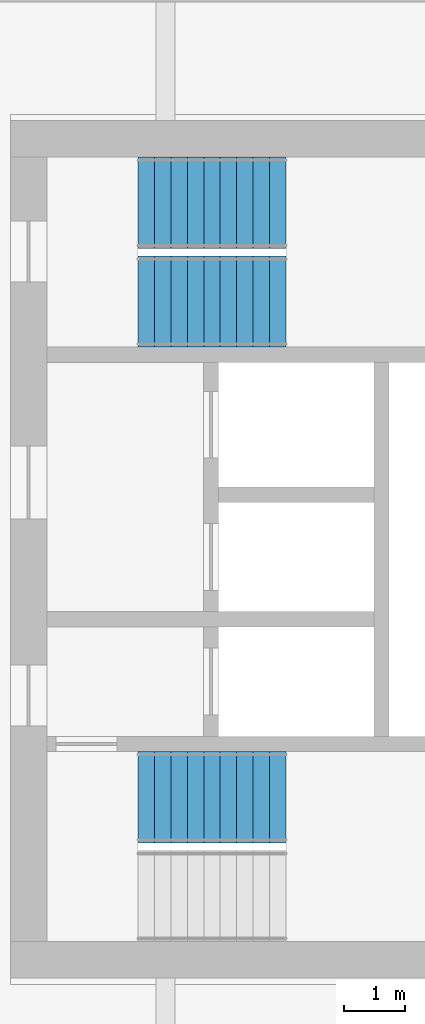
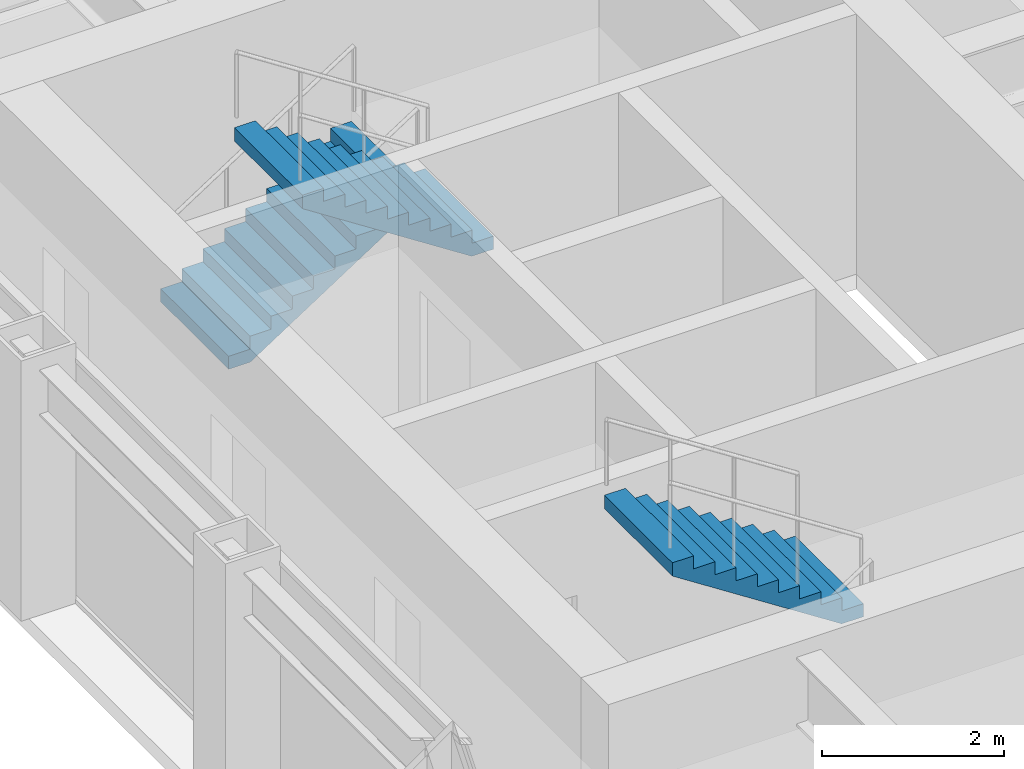
# One storey, part 16 of 21: 3 stair flights, 2 elements without a shape of their own.
"""IFC4 building model written with IfcOpenShell, lengths in metres."""

from ifc_helpers import new_model, si_unit, direction, frame, origin, place, context, subcontext, project, spatial, polyline, outline, extrude, material, type_object, element, aggregate, save


model = new_model("IFC4")

# Units and contexts
model_context = context("Model", 3, precision=1e-05, world=origin(), true_north=direction((0.0, 1.0)))
body_context = subcontext(model_context, "Body", "Model", "MODEL_VIEW")
ifc_project = project(units=[si_unit("LENGTHUNIT", "METRE"), si_unit("AREAUNIT", "SQUARE_METRE"), si_unit("VOLUMEUNIT", "CUBIC_METRE"), si_unit("PLANEANGLEUNIT", "RADIAN"), si_unit("MASSUNIT", "GRAM", prefix="KILO")], contexts=[model_context])

# Site, building, storey
site_placement = place(None, origin())
site = spatial("IfcSite", under=ifc_project, at=site_placement, CompositionType="ELEMENT")
building_placement = place(site_placement, origin())
building = spatial("IfcBuilding", under=site, at=building_placement, Name="Msasa Ring Tower", CompositionType="ELEMENT")
storey_placement = place(building_placement, frame((0.0, 0.0, 89.5)))
storey = spatial("IfcBuildingStorey", under=building, at=storey_placement, Name="L23", CompositionType="ELEMENT", Elevation=89.5)

# Stair, stair flight
ifc_material_1 = material(Name="Concrete C40/50", Category="concrete")
stair_type = type_object("IfcStairType", Name="STC CORE STAIR 20 RISERS 175", PredefinedType="HALF_TURN_STAIR", material=ifc_material_1)
stair_1_placement = place(storey_placement, origin())
stair_1 = element("IfcStair", 1, at=stair_1_placement, inside=storey, type_object=stair_type, Name="Core stair SEA L23", PredefinedType="HALF_TURN_STAIR")
ifc_material_2 = material(Name="Concrete C40/50", Category="concrete")
stair_flight_type = type_object("IfcStairFlightType", Name="ST12 CORE STAIR FLIGHT 1500 10 RISERS 175", PredefinedType="STRAIGHT", material=ifc_material_2)
stair_flight_1_placement = place(storey_placement, frame((13.22998046875, -4.074951171875, 1.75), z_axis=(0.0, 0.0, 1.0), x_axis=(-1.0, 0.0, 0.0)))
stair_flight_1 = element("IfcStairFlight", 2, at=stair_flight_1_placement, type_object=stair_flight_type, Name="SEA flight 2", NumberOfRisers=10, NumberOfTreads=9, PredefinedType="STRAIGHT", RiserHeight=0.175, TreadLength=0.27, context=body_context, shape_type="SweptSolid", body=[
    extrude(outline(polyline([(0.0, 0.0), (0.0, 0.175048828125), (0.27001953125, 0.175048828125), (0.27001953125, 0.35009765625), (0.5400390625, 0.35009765625), (0.5400390625, 0.52490234375), (0.81005859375, 0.52490234375), (0.81005859375, 0.699951171875), (1.080078125, 0.699951171875), (1.080078125, 0.875), (1.35009765625, 0.875), (1.35009765625, 1.050048828125), (1.6201171875, 1.050048828125), (1.6201171875, 1.22509765625), (1.889892578125, 1.22509765625), (1.889892578125, 1.39990234375), (2.159912109375, 1.39990234375), (2.159912109375, 1.574951171875), (2.429931640625, 1.574951171875), (2.429931640625, 1.75), (2.429931640625, 1.396484375), (0.275634765625, 0.0), (0.0, 0.0)])), frame((0.0, 0.75, 0.0), z_axis=(0.0, -1.0, 0.0), x_axis=(1.0, 0.0, 0.0)), (0.0, 0.0, 1.0), 1.5),
])
aggregate(stair_1, [stair_flight_1])

# Stair, stair flights
stair_2_placement = place(storey_placement, origin())
stair_2 = element("IfcStair", 3, at=stair_2_placement, inside=storey, type_object=stair_type, Name="Core stair SEB L23", PredefinedType="HALF_TURN_STAIR")
stair_flight_2_placement = place(storey_placement, frame((10.800048828125, 5.699951171875, 0.0), z_axis=(0.0, 0.0, 1.0), x_axis=(1.0, 0.0, 0.0)))
stair_flight_2 = element("IfcStairFlight", 4, at=stair_flight_2_placement, type_object=stair_flight_type, Name="SEB flight 1", NumberOfRisers=10, NumberOfTreads=9, PredefinedType="STRAIGHT", RiserHeight=0.175, TreadLength=0.27, context=body_context, shape_type="SweptSolid", body=[
    extrude(outline(polyline([(0.0, 0.0), (0.0, 0.175048828125), (0.27001953125, 0.175048828125), (0.27001953125, 0.35009765625), (0.5400390625, 0.35009765625), (0.5400390625, 0.52490234375), (0.81005859375, 0.52490234375), (0.81005859375, 0.699951171875), (1.080078125, 0.699951171875), (1.080078125, 0.875), (1.35009765625, 0.875), (1.35009765625, 1.050048828125), (1.6201171875, 1.050048828125), (1.6201171875, 1.22509765625), (1.889892578125, 1.22509765625), (1.889892578125, 1.39990234375), (2.159912109375, 1.39990234375), (2.159912109375, 1.574951171875), (2.429931640625, 1.574951171875), (2.429931640625, 1.75), (2.429931640625, 1.396484375), (0.275634765625, 0.0), (0.0, 0.0)])), frame((0.0, 0.75, 0.0), z_axis=(0.0, -1.0, 0.0), x_axis=(1.0, 0.0, 0.0)), (0.0, 0.0, 1.0), 1.5),
])
stair_flight_3_placement = place(storey_placement, frame((13.22998046875, 4.074951171875, 1.75), z_axis=(0.0, 0.0, 1.0), x_axis=(-1.0, 0.0, 0.0)))
stair_flight_3 = element("IfcStairFlight", 5, at=stair_flight_3_placement, type_object=stair_flight_type, Name="SEB flight 2", NumberOfRisers=10, NumberOfTreads=9, PredefinedType="STRAIGHT", RiserHeight=0.175, TreadLength=0.27, context=body_context, shape_type="SweptSolid", body=[
    extrude(outline(polyline([(0.0, 0.0), (0.0, 0.175048828125), (0.27001953125, 0.175048828125), (0.27001953125, 0.35009765625), (0.5400390625, 0.35009765625), (0.5400390625, 0.52490234375), (0.81005859375, 0.52490234375), (0.81005859375, 0.699951171875), (1.080078125, 0.699951171875), (1.080078125, 0.875), (1.35009765625, 0.875), (1.35009765625, 1.050048828125), (1.6201171875, 1.050048828125), (1.6201171875, 1.22509765625), (1.889892578125, 1.22509765625), (1.889892578125, 1.39990234375), (2.159912109375, 1.39990234375), (2.159912109375, 1.574951171875), (2.429931640625, 1.574951171875), (2.429931640625, 1.75), (2.429931640625, 1.396484375), (0.275634765625, 0.0), (0.0, 0.0)])), frame((0.0, 0.75, 0.0), z_axis=(0.0, -1.0, 0.0), x_axis=(1.0, 0.0, 0.0)), (0.0, 0.0, 1.0), 1.5),
])
aggregate(stair_2, [stair_flight_2, stair_flight_3])

save(model, "model.ifc")
